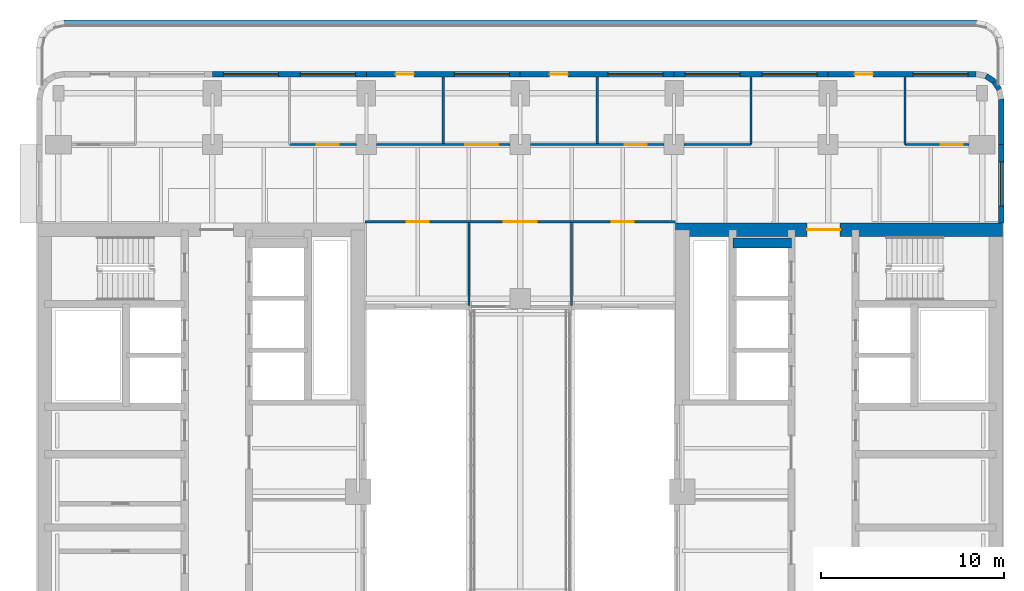
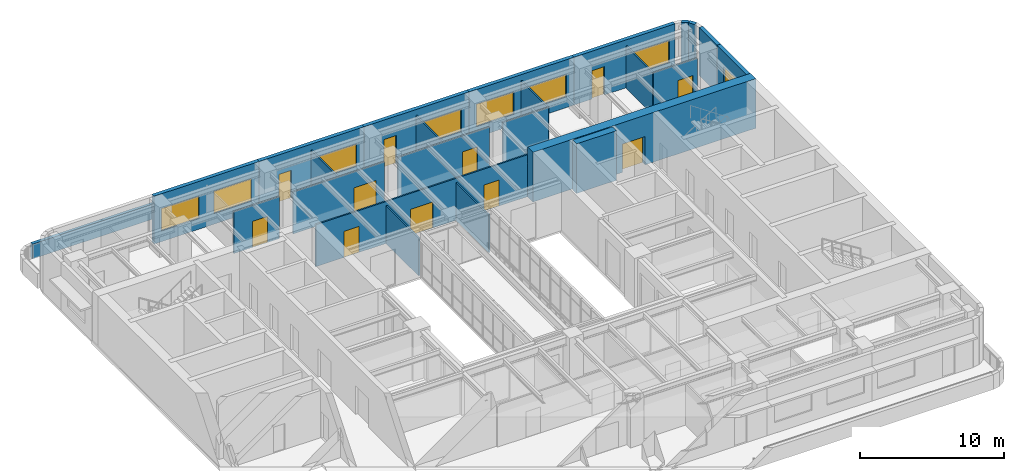
# One storey, part 10 of 15: 24 walls, 11 doors, 8 windows, 19 openings.
"""IFC4 building model written with IfcOpenShell, lengths in metres."""

import ifcopenshell
import ifcopenshell.guid

model = None  # the IFC model being written
_history = None  # IfcOwnerHistory: only IFC2X3 demands one
_inside = {}  # id of a spatial element -> (the spatial element, [elements in it])
_under = {}  # id of a project, library or spatial element -> (it, [spatial elements below it])
_declared = {}  # id of a project -> (the project, [libraries it declares])
_typed = {}  # id of a type object -> (the type object, [elements of that type])
_made_of = {}  # id of a material, layer set ... -> (it, [elements and type objects made of it])


def new_model(schema):
    """Start an empty IFC model of exactly this schema.

    Asked for "IFC4X3", IfcOpenShell would pick the latest addendum, in which some entities
    have other attributes; the version numbers below select the first issue.
    IFC2X3 requires an IfcOwnerHistory on every rooted entity: one is made here for all.
    """
    global model, _history
    if schema == "IFC4X3":
        model = ifcopenshell.file(schema_version=(4, 3, 0, 0))
    else:
        model = ifcopenshell.file(schema=schema)
    _inside.clear()
    _under.clear()
    _declared.clear()
    _typed.clear()
    _made_of.clear()
    _history = None
    if model.schema == "IFC2X3":
        org = make("IfcOrganization", Name="unknown")
        user = make(
            "IfcPersonAndOrganization",
            ThePerson=make("IfcPerson", FamilyName="unknown"),
            TheOrganization=org,
        )
        app = make(
            "IfcApplication",
            ApplicationDeveloper=org,
            Version="unknown",
            ApplicationFullName="unknown",
            ApplicationIdentifier="unknown",
        )
        _history = make(
            "IfcOwnerHistory",
            OwningUser=user,
            OwningApplication=app,
            ChangeAction="ADDED",
            CreationDate=0,
        )
    return model


def make(cls, **values):
    """One entity of the class cls with the attributes given. An attribute that is None is left unset."""
    return model.create_entity(
        cls, **{name: value for name, value in values.items() if value is not None}
    )


def rooted(cls, **values):
    """An entity with a GlobalId (a new one), such as an element, a storey or a relation."""
    return make(cls, GlobalId=ifcopenshell.guid.new(), OwnerHistory=_history, **values)


def si_unit(unit_type, name, prefix=None):
    """IfcSIUnit, for example si_unit("LENGTHUNIT", "METRE", prefix="MILLI")."""
    return make("IfcSIUnit", UnitType=unit_type, Prefix=prefix, Name=name)


def assignment(units):
    """IfcUnitAssignment: the units of a project."""
    return None if units is None else make("IfcUnitAssignment", Units=units)


def point(xyz):
    """IfcCartesianPoint."""
    return None if xyz is None else make("IfcCartesianPoint", Coordinates=xyz)


def direction(xyz):
    """IfcDirection."""
    return None if xyz is None else make("IfcDirection", DirectionRatios=xyz)


def frame(location, z_axis=None, x_axis=None):
    """IfcAxis2Placement3D, a coordinate frame: its origin and axes. An axis left out is left unset."""
    return make(
        "IfcAxis2Placement3D",
        Location=point(location),
        Axis=direction(z_axis),
        RefDirection=direction(x_axis),
    )


def frame_2d(location, x_axis=None):
    """IfcAxis2Placement2D, a coordinate frame in the plane: its origin and x axis."""
    return make(
        "IfcAxis2Placement2D", Location=point(location), RefDirection=direction(x_axis)
    )


def origin():
    """The frame at (0, 0, 0) with its axes left unset."""
    return frame((0.0, 0.0, 0.0))


def place(relative_to, where):
    """IfcLocalPlacement: puts the frame where relative to a parent placement (None: the world)."""
    return make(
        "IfcLocalPlacement", PlacementRelTo=relative_to, RelativePlacement=where
    )


def context(
    kind, dimensions, precision=None, world=None, true_north=None, identifier=None
):
    """IfcGeometricRepresentationContext, for example the 3D "Model" context."""
    return make(
        "IfcGeometricRepresentationContext",
        ContextIdentifier=identifier,
        ContextType=kind,
        CoordinateSpaceDimension=dimensions,
        Precision=precision,
        WorldCoordinateSystem=world,
        TrueNorth=true_north,
    )


def subcontext(parent, identifier, kind, view, scale=None):
    """IfcGeometricRepresentationSubContext, for example "Body" below "Model"."""
    return make(
        "IfcGeometricRepresentationSubContext",
        ContextIdentifier=identifier,
        ContextType=kind,
        ParentContext=parent,
        TargetScale=scale,
        TargetView=view,
    )


def project(units=None, contexts=None):
    """IfcProject with its units and contexts."""
    return rooted(
        "IfcProject",
        Name="project",
        RepresentationContexts=contexts,
        UnitsInContext=assignment(units),
    )


def spatial(cls, under=None, at=None, **own):
    """A site, building, storey or space (cls), placed at a placement, below another one or the project."""
    s = rooted(cls, ObjectPlacement=at, **own)
    if under is not None:
        _under.setdefault(under.id(), (under, []))[1].append(s)
    return s


def profile(cls, at=None, kind="AREA", **sizes):
    """A parametric profile (cls). Its sizes go by their IFC names, for example OverallWidth=200.0."""
    return make(cls, ProfileType=kind, Position=at, **sizes)


def rectangle(**sizes):
    """IfcRectangleProfileDef."""
    return profile("IfcRectangleProfileDef", **sizes)


def extrude(swept, where, along, depth):
    """IfcExtrudedAreaSolid: the profile swept, set in the frame where, extruded along a direction by depth."""
    return make(
        "IfcExtrudedAreaSolid",
        SweptArea=swept,
        Position=where,
        ExtrudedDirection=direction(along),
        Depth=depth,
    )


def shape(context_of_items, identifier, shape_type, items):
    """IfcShapeRepresentation: the items that make up one representation, for example the "Body"."""
    return make(
        "IfcShapeRepresentation",
        ContextOfItems=context_of_items,
        RepresentationIdentifier=identifier,
        RepresentationType=shape_type,
        Items=items,
    )


def material(Name=None, Category=None):
    """IfcMaterial."""
    return make("IfcMaterial", Name=Name, Category=Category)


def layer(
    of_material, thickness, ventilated=None, Name=None, Category=None, Priority=None
):
    """IfcMaterialLayer: one layer of a wall or slab, of a material (None: an air gap)."""
    return make(
        "IfcMaterialLayer",
        Material=of_material,
        LayerThickness=thickness,
        IsVentilated=ventilated,
        Name=Name,
        Category=Category,
        Priority=Priority,
    )


def layer_set(layers, Name=None):
    """IfcMaterialLayerSet."""
    return make("IfcMaterialLayerSet", MaterialLayers=layers, LayerSetName=Name)


def made_of(thing, what):
    """Note that an element or type object is made of a material, layer set ...; save() writes the relation."""
    if what is not None:
        _made_of.setdefault(what.id(), (what, []))[1].append(thing)
    return thing


def type_object(cls, material=None, **own):
    """A type object (cls), such as IfcWallType, which elements share."""
    return made_of(rooted(cls, **own), material)


def element(
    cls,
    number,
    at=None,
    inside=None,
    cuts=None,
    type_object=None,
    material=None,
    context=None,
    identifier="Body",
    shape_type=None,
    held_by="IfcProductDefinitionShape",
    body=None,
    shapes=None,
    **own,
):
    """One element of the class cls, such as IfcWall. Its Tag is "e" and its number.

    at: its placement. inside: the storey or other place that contains it. cuts: it is an
    opening in that element (IfcRelVoidsElement). A single representation is given by context,
    identifier, shape_type and body (its items); several are given by shapes. held_by: the class
    of the entity that holds the representations. save() writes the other relations.
    """
    e = rooted(cls, Tag="e%d" % number, ObjectPlacement=at, **own)
    if body is not None:
        shapes = [shape(context, identifier, shape_type, body)]
    if shapes is not None:
        e.Representation = make(held_by, Representations=shapes)
    if inside is not None:
        _inside.setdefault(inside.id(), (inside, []))[1].append(e)
    if cuts is not None:
        rooted(
            "IfcRelVoidsElement", RelatingBuildingElement=cuts, RelatedOpeningElement=e
        )
    if type_object is not None:
        _typed.setdefault(type_object.id(), (type_object, []))[1].append(e)
    return made_of(e, material)


def fill(opening, filler):
    """IfcRelFillsElement: the door or window that sits in an opening."""
    return rooted(
        "IfcRelFillsElement",
        RelatingOpeningElement=opening,
        RelatedBuildingElement=filler,
    )


def aggregate(whole, parts):
    """IfcRelAggregates: a whole, such as a stair, and the parts it consists of."""
    return rooted("IfcRelAggregates", RelatingObject=whole, RelatedObjects=parts)


def save(model, path):
    """Write the relations noted so far, then the file.

    IfcRelAggregates (storeys below a building ...), IfcRelContainedInSpatialStructure (elements
    in a storey), IfcRelDefinesByType, IfcRelAssociatesMaterial and IfcRelDeclares: one each for
    every whole, place, type object, material and project.
    """
    for whole, parts in _under.values():
        aggregate(whole, parts)
    for where, things in _inside.values():
        rooted(
            "IfcRelContainedInSpatialStructure",
            RelatedElements=things,
            RelatingStructure=where,
        )
    for kind, things in _typed.values():
        rooted("IfcRelDefinesByType", RelatedObjects=things, RelatingType=kind)
    for what, things in _made_of.values():
        rooted("IfcRelAssociatesMaterial", RelatedObjects=things, RelatingMaterial=what)
    for by, libraries in _declared.values():
        rooted("IfcRelDeclares", RelatingContext=by, RelatedDefinitions=libraries)
    model.write(path)


model = new_model("IFC4")

# Units and contexts
model_context = context("Model", 3, precision=1e-05, world=origin(), true_north=direction((0.0, 1.0)))
body_context = subcontext(model_context, "Body", "Model", "MODEL_VIEW")
ifc_project = project(units=[si_unit("LENGTHUNIT", "METRE"), si_unit("AREAUNIT", "SQUARE_METRE"), si_unit("VOLUMEUNIT", "CUBIC_METRE"), si_unit("PLANEANGLEUNIT", "RADIAN"), si_unit("MASSUNIT", "GRAM", prefix="KILO")], contexts=[model_context])

# Site, building, storey
site_placement = place(None, origin())
site = spatial("IfcSite", under=ifc_project, at=site_placement, CompositionType="ELEMENT")
building_placement = place(site_placement, origin())
building = spatial("IfcBuilding", under=site, at=building_placement, Name="Claustro Exchange Tower", CompositionType="ELEMENT")
storey_placement = place(building_placement, frame((0.0, 0.0, 173.39990234375)))
storey = spatial("IfcBuildingStorey", under=building, at=storey_placement, Name="L39", CompositionType="ELEMENT", Elevation=173.39990234375)

# Wall, opening, door
ifc_material_1 = material(Name="Laminated glass in aluminium frame", Category="aluminium")
ifc_layer_1 = layer(ifc_material_1, 0.1201171875)
ifc_layer_set_1 = layer_set([ifc_layer_1], Name="Laminated glass in aluminium frame")
wall_type_1 = type_object("IfcWallType", Name="P2 120 glazed partition", PredefinedType="PARTITIONING", material=ifc_layer_set_1)
wall_1_placement = place(storey_placement, frame((12.60009765625, 42.0, 0.0), z_axis=(0.0, 0.0, 1.0), x_axis=(1.0, 0.0, 0.0)))
wall_1 = element("IfcWall", 1, at=wall_1_placement, inside=storey, type_object=wall_type_1, Name="Partition P2 L39", PredefinedType="PARTITIONING", context=body_context, shape_type="SweptSolid", body=[
    extrude(rectangle(XDim=3.65087890625, YDim=0.1201171875, at=frame_2d((1.825439453125, 0.0))), origin(), (0.0, 0.0, 1.0), 3.550048828125),
])
opening_1_placement = place(wall_1_placement, frame((1.5, 0.0, 0.0)))
opening_1 = element("IfcOpeningElement", 2, at=opening_1_placement, cuts=wall_1, Name="Opening D6", PredefinedType="OPENING", context=body_context, shape_type="SweptSolid", body=[
    extrude(rectangle(XDim=1.199951171875, YDim=2.199951171875, at=frame_2d((0.60009765625, 1.10009765625))), frame((0.0, 0.070068359375, 0.0), z_axis=(0.0, -1.0, 0.0), x_axis=(1.0, 0.0, 0.0)), (0.0, 0.0, 1.0), 0.14013671875),
])
ifc_material_2 = material(Name="Timber door, oak veneer", Category="wood")
door_type_1 = type_object("IfcDoorType", Name="D6 1200 x 2200 unequal pair door", OperationType="DOUBLE_DOOR_SINGLE_SWING_OPPOSITE_LEFT", PredefinedType="DOOR", material=ifc_material_2)
door_1_placement = place(opening_1_placement, origin())
door_1 = element("IfcDoor", 3, at=door_1_placement, inside=storey, type_object=door_type_1, Name="Door D6 L39", OperationType="DOUBLE_DOOR_SINGLE_SWING_OPPOSITE_LEFT", OverallHeight=2.199951171875, OverallWidth=1.199951171875, PredefinedType="DOOR", context=body_context, shape_type="SweptSolid", body=[
    extrude(rectangle(XDim=1.199951171875, YDim=2.199951171875, at=frame_2d((0.60009765625, 1.10009765625))), frame((0.0, 0.02490234375, 0.0), z_axis=(0.0, -1.0, 0.0), x_axis=(1.0, 0.0, 0.0)), (0.0, 0.0, 1.0), 0.050048828125),
])
fill(opening_1, door_1)

wall_2_placement = place(storey_placement, frame((17.34912109375, 42.0, 0.0), z_axis=(0.0, 0.0, 1.0), x_axis=(1.0, 0.0, 0.0)))
wall_2 = element("IfcWall", 4, at=wall_2_placement, inside=storey, type_object=wall_type_1, Name="Partition P2 L39", PredefinedType="PARTITIONING", context=body_context, shape_type="SweptSolid", body=[
    extrude(rectangle(XDim=7.3017578125, YDim=0.1201171875, at=frame_2d((3.65087890625, 0.0))), origin(), (0.0, 0.0, 1.0), 3.550048828125),
])
opening_2_placement = place(wall_2_placement, frame((4.85107421875, 0.0, 0.0)))
opening_2 = element("IfcOpeningElement", 5, at=opening_2_placement, cuts=wall_2, Name="Opening D2", PredefinedType="OPENING", context=body_context, shape_type="SweptSolid", body=[
    extrude(rectangle(XDim=1.800048828125, YDim=2.199951171875, at=frame_2d((0.89990234375, 1.10009765625))), frame((0.0, 0.070068359375, 0.0), z_axis=(0.0, -1.0, 0.0), x_axis=(1.0, 0.0, 0.0)), (0.0, 0.0, 1.0), 0.14013671875),
])
ifc_material_3 = material(Name="Timber door, oak veneer", Category="wood")
door_type_2 = type_object("IfcDoorType", Name="D2 1800 x 2200 double door", OperationType="DOUBLE_DOOR_SINGLE_SWING", PredefinedType="DOOR", material=ifc_material_3)
door_2_placement = place(opening_2_placement, origin())
door_2 = element("IfcDoor", 6, at=door_2_placement, inside=storey, type_object=door_type_2, Name="Double door D2 L39", OperationType="DOUBLE_DOOR_SINGLE_SWING", OverallHeight=2.199951171875, OverallWidth=1.800048828125, PredefinedType="DOOR", context=body_context, shape_type="SweptSolid", body=[
    extrude(rectangle(XDim=1.800048828125, YDim=2.199951171875, at=frame_2d((0.89990234375, 1.10009765625))), frame((0.0, 0.02490234375, 0.0), z_axis=(0.0, -1.0, 0.0), x_axis=(1.0, 0.0, 0.0)), (0.0, 0.0, 1.0), 0.050048828125),
])
fill(opening_2, door_2)

wall_3_placement = place(storey_placement, frame((25.7490234375, 42.0, 0.0), z_axis=(0.0, 0.0, 1.0), x_axis=(1.0, 0.0, 0.0)))
wall_3 = element("IfcWall", 7, at=wall_3_placement, inside=storey, type_object=wall_type_1, Name="Partition P2 L39", PredefinedType="PARTITIONING", context=body_context, shape_type="SweptSolid", body=[
    extrude(rectangle(XDim=7.302001953125, YDim=0.1201171875, at=frame_2d((3.65087890625, 0.0))), origin(), (0.0, 0.0, 1.0), 3.550048828125),
])
opening_3_placement = place(wall_3_placement, frame((5.15087890625, 0.0, 0.0)))
opening_3 = element("IfcOpeningElement", 8, at=opening_3_placement, cuts=wall_3, Name="Opening D6", PredefinedType="OPENING", context=body_context, shape_type="SweptSolid", body=[
    extrude(rectangle(XDim=1.199951171875, YDim=2.199951171875, at=frame_2d((0.60009765625, 1.10009765625))), frame((0.0, 0.070068359375, 0.0), z_axis=(0.0, -1.0, 0.0), x_axis=(1.0, 0.0, 0.0)), (0.0, 0.0, 1.0), 0.14013671875),
])
door_3_placement = place(opening_3_placement, origin())
door_3 = element("IfcDoor", 9, at=door_3_placement, inside=storey, type_object=door_type_1, Name="Door D6 L39", OperationType="DOUBLE_DOOR_SINGLE_SWING_OPPOSITE_LEFT", OverallHeight=2.199951171875, OverallWidth=1.199951171875, PredefinedType="DOOR", context=body_context, shape_type="SweptSolid", body=[
    extrude(rectangle(XDim=1.199951171875, YDim=2.199951171875, at=frame_2d((0.60009765625, 1.10009765625))), frame((0.0, 0.02490234375, 0.0), z_axis=(0.0, -1.0, 0.0), x_axis=(1.0, 0.0, 0.0)), (0.0, 0.0, 1.0), 0.050048828125),
])
fill(opening_3, door_3)

# Walls
wall_4_placement = place(storey_placement, frame((34.14892578125, 42.0, 0.0), z_axis=(0.0, 0.0, 1.0), x_axis=(1.0, 0.0, 0.0)))
element("IfcWall", 10, at=wall_4_placement, inside=storey, type_object=wall_type_1, Name="Partition P2 L39", PredefinedType="PARTITIONING", context=body_context, shape_type="SweptSolid", body=[
    extrude(rectangle(XDim=3.651123046875, YDim=0.1201171875, at=frame_2d((1.82568359375, 0.0))), origin(), (0.0, 0.0, 1.0), 3.550048828125),
])
for number, where, z_axis, x_axis, name in (
    (11, (21.0, 42.05810546875, 0.0), (0.0, 0.0, 1.0), (0.0, 1.0, 0.0), "Partition P2 L39"),
    (12, (29.39990234375, 42.05810546875, 0.0), (0.0, 0.0, 1.0), (0.0, 1.0, 0.0), "Partition P2 L39"),
):
    element("IfcWall", number, at=place(storey_placement, frame(where, z_axis=z_axis, x_axis=x_axis)), inside=storey, type_object=wall_type_1, Name=name, PredefinedType="PARTITIONING", context=body_context, shape_type="SweptSolid", body=[
        extrude(rectangle(XDim=3.643798828125, YDim=0.1201171875, at=frame_2d((1.82177734375, 0.0))), origin(), (0.0, 0.0, 1.0), 3.550048828125),
    ])
wall_5_placement = place(storey_placement, frame((37.800048828125, 42.0, 0.0), z_axis=(0.0, 0.0, 1.0), x_axis=(0.0, 1.0, 0.0)))
element("IfcWall", 13, at=wall_5_placement, inside=storey, type_object=wall_type_1, Name="Partition P2 L39", PredefinedType="PARTITIONING", context=body_context, shape_type="SweptSolid", body=[
    extrude(rectangle(XDim=3.701904296875, YDim=0.1201171875, at=frame_2d((1.85107421875, 0.0))), origin(), (0.0, 0.0, 1.0), 3.550048828125),
])

# Wall, opening, door
wall_6_placement = place(storey_placement, frame((46.199951171875, 42.0, 0.0), z_axis=(0.0, 0.0, 1.0), x_axis=(1.0, 0.0, 0.0)))
wall_6 = element("IfcWall", 14, at=wall_6_placement, inside=storey, type_object=wall_type_1, Name="Partition P2 L39", PredefinedType="PARTITIONING", context=body_context, shape_type="SweptSolid", body=[
    extrude(rectangle(XDim=3.5009765625, YDim=0.1201171875, at=frame_2d((1.75048828125, 0.0))), origin(), (0.0, 0.0, 1.0), 3.550048828125),
])
opening_4_placement = place(wall_6_placement, frame((1.949951171875, 0.0, 0.0)))
opening_4 = element("IfcOpeningElement", 15, at=opening_4_placement, cuts=wall_6, Name="Opening D6", PredefinedType="OPENING", context=body_context, shape_type="SweptSolid", body=[
    extrude(rectangle(XDim=1.199951171875, YDim=2.199951171875, at=frame_2d((0.60009765625, 1.10009765625))), frame((0.0, 0.070068359375, 0.0), z_axis=(0.0, -1.0, 0.0), x_axis=(1.0, 0.0, 0.0)), (0.0, 0.0, 1.0), 0.14013671875),
])
door_4_placement = place(opening_4_placement, origin())
door_4 = element("IfcDoor", 16, at=door_4_placement, inside=storey, type_object=door_type_1, Name="Door D6 L39", OperationType="DOUBLE_DOOR_SINGLE_SWING_OPPOSITE_LEFT", OverallHeight=2.199951171875, OverallWidth=1.199951171875, PredefinedType="DOOR", context=body_context, shape_type="SweptSolid", body=[
    extrude(rectangle(XDim=1.199951171875, YDim=2.199951171875, at=frame_2d((0.60009765625, 1.10009765625))), frame((0.0, 0.02490234375, 0.0), z_axis=(0.0, -1.0, 0.0), x_axis=(1.0, 0.0, 0.0)), (0.0, 0.0, 1.0), 0.050048828125),
])
fill(opening_4, door_4)

# Wall
wall_7_placement = place(storey_placement, frame((46.199951171875, 42.0, 0.0), z_axis=(0.0, 0.0, 1.0), x_axis=(0.0, 1.0, 0.0)))
element("IfcWall", 17, at=wall_7_placement, inside=storey, type_object=wall_type_1, Name="Partition P2 L39", PredefinedType="PARTITIONING", context=body_context, shape_type="SweptSolid", body=[
    extrude(rectangle(XDim=3.701904296875, YDim=0.1201171875, at=frame_2d((1.85107421875, 0.0))), origin(), (0.0, 0.0, 1.0), 3.550048828125),
])

# Wall, openings, doors
wall_8_placement = place(storey_placement, frame((16.72509765625, 37.784912109375, 0.0), z_axis=(0.0, 0.0, 1.0), x_axis=(1.0, 0.0, 0.0)))
wall_8 = element("IfcWall", 18, at=wall_8_placement, inside=storey, type_object=wall_type_1, Name="Partition P2 L39", PredefinedType="PARTITIONING", context=body_context, shape_type="SweptSolid", body=[
    extrude(rectangle(XDim=16.949951171875, YDim=0.1201171875, at=frame_2d((8.47509765625, 0.0))), origin(), (0.0, 0.0, 1.0), 3.550048828125),
])
opening_5_placement = place(wall_8_placement, frame((2.27490234375, 0.0, 0.0)))
opening_5 = element("IfcOpeningElement", 19, at=opening_5_placement, cuts=wall_8, Name="Opening D6", PredefinedType="OPENING", context=body_context, shape_type="SweptSolid", body=[
    extrude(rectangle(XDim=1.199951171875, YDim=2.199951171875, at=frame_2d((0.60009765625, 1.10009765625))), frame((0.0, 0.070068359375, 0.0), z_axis=(0.0, -1.0, 0.0), x_axis=(1.0, 0.0, 0.0)), (0.0, 0.0, 1.0), 0.14013671875),
])
opening_6_placement = place(wall_8_placement, frame((7.574951171875, 0.0, 0.0)))
opening_6 = element("IfcOpeningElement", 20, at=opening_6_placement, cuts=wall_8, Name="Opening D2", PredefinedType="OPENING", context=body_context, shape_type="SweptSolid", body=[
    extrude(rectangle(XDim=1.800048828125, YDim=2.199951171875, at=frame_2d((0.89990234375, 1.10009765625))), frame((0.0, 0.070068359375, 0.0), z_axis=(0.0, -1.0, 0.0), x_axis=(1.0, 0.0, 0.0)), (0.0, 0.0, 1.0), 0.14013671875),
])
opening_7_placement = place(wall_8_placement, frame((13.47509765625, 0.0, 0.0)))
opening_7 = element("IfcOpeningElement", 21, at=opening_7_placement, cuts=wall_8, Name="Opening D6", PredefinedType="OPENING", context=body_context, shape_type="SweptSolid", body=[
    extrude(rectangle(XDim=1.199951171875, YDim=2.199951171875, at=frame_2d((0.60009765625, 1.10009765625))), frame((0.0, 0.070068359375, 0.0), z_axis=(0.0, -1.0, 0.0), x_axis=(1.0, 0.0, 0.0)), (0.0, 0.0, 1.0), 0.14013671875),
])
door_5_placement = place(opening_6_placement, origin())
door_5 = element("IfcDoor", 22, at=door_5_placement, inside=storey, type_object=door_type_2, Name="Double door D2 L39", OperationType="DOUBLE_DOOR_SINGLE_SWING", OverallHeight=2.199951171875, OverallWidth=1.800048828125, PredefinedType="DOOR", context=body_context, shape_type="SweptSolid", body=[
    extrude(rectangle(XDim=1.800048828125, YDim=2.199951171875, at=frame_2d((0.89990234375, 1.10009765625))), frame((0.0, 0.02490234375, 0.0), z_axis=(0.0, -1.0, 0.0), x_axis=(1.0, 0.0, 0.0)), (0.0, 0.0, 1.0), 0.050048828125),
])
fill(opening_6, door_5)
door_6_placement = place(opening_5_placement, origin())
door_6 = element("IfcDoor", 23, at=door_6_placement, inside=storey, type_object=door_type_1, Name="Door D6 L39", OperationType="DOUBLE_DOOR_SINGLE_SWING_OPPOSITE_LEFT", OverallHeight=2.199951171875, OverallWidth=1.199951171875, PredefinedType="DOOR", context=body_context, shape_type="SweptSolid", body=[
    extrude(rectangle(XDim=1.199951171875, YDim=2.199951171875, at=frame_2d((0.60009765625, 1.10009765625))), frame((0.0, 0.02490234375, 0.0), z_axis=(0.0, -1.0, 0.0), x_axis=(1.0, 0.0, 0.0)), (0.0, 0.0, 1.0), 0.050048828125),
])
fill(opening_5, door_6)
door_7_placement = place(opening_7_placement, origin())
door_7 = element("IfcDoor", 24, at=door_7_placement, inside=storey, type_object=door_type_1, Name="Door D6 L39", OperationType="DOUBLE_DOOR_SINGLE_SWING_OPPOSITE_LEFT", OverallHeight=2.199951171875, OverallWidth=1.199951171875, PredefinedType="DOOR", context=body_context, shape_type="SweptSolid", body=[
    extrude(rectangle(XDim=1.199951171875, YDim=2.199951171875, at=frame_2d((0.60009765625, 1.10009765625))), frame((0.0, 0.02490234375, 0.0), z_axis=(0.0, -1.0, 0.0), x_axis=(1.0, 0.0, 0.0)), (0.0, 0.0, 1.0), 0.050048828125),
])
fill(opening_7, door_7)

# Walls
for number, where, z_axis, x_axis, name in (
    (25, (22.39990234375, 33.2080078125, 0.0), (0.0, 0.0, 1.0), (0.0, 1.0, 0.0), "Partition P2 L39"),
    (26, (28.0, 33.2080078125, 0.0), (0.0, 0.0, 1.0), (0.0, 1.0, 0.0), "Partition P2 L39"),
):
    element("IfcWall", number, at=place(storey_placement, frame(where, z_axis=z_axis, x_axis=x_axis)), inside=storey, type_object=wall_type_1, Name=name, PredefinedType="PARTITIONING", context=body_context, shape_type="SweptSolid", body=[
        extrude(rectangle(XDim=4.533935546875, YDim=0.1201171875, at=frame_2d((2.26708984375, 0.0))), origin(), (0.0, 0.0, 1.0), 3.2001953125),
    ])

# Wall, openings, windows
ifc_material_4 = material(Name="Concrete HA-40 (C40/50), precast, white cement, acid-etched", Category="concrete")
ifc_layer_2 = layer(ifc_material_4, 0.300048828125)
ifc_layer_set_2 = layer_set([ifc_layer_2], Name="Concrete HA-40 (C40/50), precast, white cement, acid-etched")
wall_type_2 = type_object("IfcWallType", Name="PC1 300 precast concrete pier panel", PredefinedType="SOLIDWALL", material=ifc_layer_set_2)
wall_9_placement = place(storey_placement, frame((8.39990234375, 45.85009765625, 0.0), z_axis=(0.0, 0.0, 1.0), x_axis=(1.0, 0.0, 0.0)))
wall_9 = element("IfcWall", 27, at=wall_9_placement, inside=storey, type_object=wall_type_2, Name="Precast pier panel PC1 L39", PredefinedType="SOLIDWALL", context=body_context, shape_type="SweptSolid", body=[
    extrude(rectangle(XDim=8.400146484375, YDim=0.300048828125, at=frame_2d((4.2001953125, 0.0))), origin(), (0.0, 0.0, 1.0), 4.050048828125),
])
opening_8_placement = place(wall_9_placement, frame((0.60009765625, 0.0, 0.89990234375)))
opening_8 = element("IfcOpeningElement", 28, at=opening_8_placement, cuts=wall_9, Name="Opening W1", PredefinedType="OPENING", context=body_context, shape_type="SweptSolid", body=[
    extrude(rectangle(XDim=3.0, YDim=1.89990234375, at=frame_2d((1.5, 0.949951171875))), frame((0.0, 0.159912109375, 0.0), z_axis=(0.0, -1.0, 0.0), x_axis=(1.0, 0.0, 0.0)), (0.0, 0.0, 1.0), 0.320068359375),
])
opening_9_placement = place(wall_9_placement, frame((4.800048828125, 0.0, 0.89990234375)))
opening_9 = element("IfcOpeningElement", 29, at=opening_9_placement, cuts=wall_9, Name="Opening W1", PredefinedType="OPENING", context=body_context, shape_type="SweptSolid", body=[
    extrude(rectangle(XDim=3.0, YDim=1.89990234375, at=frame_2d((1.5, 0.949951171875))), frame((0.0, 0.159912109375, 0.0), z_axis=(0.0, -1.0, 0.0), x_axis=(1.0, 0.0, 0.0)), (0.0, 0.0, 1.0), 0.320068359375),
])
ifc_material_5 = material(Name="Aluminium frame, clear double glazing", Category="aluminium")
window_type_1 = type_object("IfcWindowType", Name="W1 3000 x 1900 window", PartitioningType="SINGLE_PANEL", PredefinedType="WINDOW", material=ifc_material_5)
window_1_placement = place(opening_8_placement, origin())
window_1 = element("IfcWindow", 30, at=window_1_placement, inside=storey, type_object=window_type_1, Name="Window W1 L39", OverallHeight=1.89990234375, OverallWidth=3.0, PartitioningType="SINGLE_PANEL", PredefinedType="WINDOW", context=body_context, shape_type="SweptSolid", body=[
    extrude(rectangle(XDim=3.0, YDim=1.89990234375, at=frame_2d((1.5, 0.949951171875))), frame((0.0, 0.030029296875, 0.0), z_axis=(0.0, -1.0, 0.0), x_axis=(1.0, 0.0, 0.0)), (0.0, 0.0, 1.0), 0.06005859375),
])
fill(opening_8, window_1)
window_2_placement = place(opening_9_placement, origin())
window_2 = element("IfcWindow", 31, at=window_2_placement, inside=storey, type_object=window_type_1, Name="Window W1 L39", OverallHeight=1.89990234375, OverallWidth=3.0, PartitioningType="SINGLE_PANEL", PredefinedType="WINDOW", context=body_context, shape_type="SweptSolid", body=[
    extrude(rectangle(XDim=3.0, YDim=1.89990234375, at=frame_2d((1.5, 0.949951171875))), frame((0.0, 0.030029296875, 0.0), z_axis=(0.0, -1.0, 0.0), x_axis=(1.0, 0.0, 0.0)), (0.0, 0.0, 1.0), 0.06005859375),
])
fill(opening_9, window_2)

# Wall, openings, door, window
wall_10_placement = place(storey_placement, frame((16.800048828125, 45.85009765625, 0.0), z_axis=(0.0, 0.0, 1.0), x_axis=(1.0, 0.0, 0.0)))
wall_10 = element("IfcWall", 32, at=wall_10_placement, inside=storey, type_object=wall_type_2, Name="Precast pier panel PC1 L39", PredefinedType="SOLIDWALL", context=body_context, shape_type="SweptSolid", body=[
    extrude(rectangle(XDim=8.39990234375, YDim=0.300048828125, at=frame_2d((4.199951171875, 0.0))), origin(), (0.0, 0.0, 1.0), 4.050048828125),
])
opening_10_placement = place(wall_10_placement, frame((4.800048828125, 0.0, 0.89990234375)))
opening_10 = element("IfcOpeningElement", 33, at=opening_10_placement, cuts=wall_10, Name="Opening W1", PredefinedType="OPENING", context=body_context, shape_type="SweptSolid", body=[
    extrude(rectangle(XDim=3.0, YDim=1.89990234375, at=frame_2d((1.5, 0.949951171875))), frame((0.0, 0.159912109375, 0.0), z_axis=(0.0, -1.0, 0.0), x_axis=(1.0, 0.0, 0.0)), (0.0, 0.0, 1.0), 0.320068359375),
])
opening_11_placement = place(wall_10_placement, frame((1.60009765625, 0.0, 0.0)))
opening_11 = element("IfcOpeningElement", 34, at=opening_11_placement, cuts=wall_10, Name="Opening D-T", PredefinedType="OPENING", context=body_context, shape_type="SweptSolid", body=[
    extrude(rectangle(XDim=1.0, YDim=2.39990234375, at=frame_2d((0.5, 1.199951171875))), frame((0.0, 0.159912109375, 0.0), z_axis=(0.0, -1.0, 0.0), x_axis=(1.0, 0.0, 0.0)), (0.0, 0.0, 1.0), 0.320068359375),
])
ifc_material_6 = material(Name="Aluminium frame, clear double glazing", Category="aluminium")
door_type_3 = type_object("IfcDoorType", Name="D-T 1000 x 2400 terrace door", OperationType="SINGLE_SWING_LEFT", PredefinedType="DOOR", material=ifc_material_6)
door_8_placement = place(opening_11_placement, origin())
door_8 = element("IfcDoor", 35, at=door_8_placement, inside=storey, type_object=door_type_3, Name="Terrace door D-T L39", OperationType="SINGLE_SWING_LEFT", OverallHeight=2.39990234375, OverallWidth=1.0, PredefinedType="DOOR", context=body_context, shape_type="SweptSolid", body=[
    extrude(rectangle(XDim=1.0, YDim=2.39990234375, at=frame_2d((0.5, 1.199951171875))), frame((0.0, 0.02490234375, 0.0), z_axis=(0.0, -1.0, 0.0), x_axis=(1.0, 0.0, 0.0)), (0.0, 0.0, 1.0), 0.050048828125),
])
fill(opening_11, door_8)
window_3_placement = place(opening_10_placement, origin())
window_3 = element("IfcWindow", 36, at=window_3_placement, inside=storey, type_object=window_type_1, Name="Window W1 L39", OverallHeight=1.89990234375, OverallWidth=3.0, PartitioningType="SINGLE_PANEL", PredefinedType="WINDOW", context=body_context, shape_type="SweptSolid", body=[
    extrude(rectangle(XDim=3.0, YDim=1.89990234375, at=frame_2d((1.5, 0.949951171875))), frame((0.0, 0.030029296875, 0.0), z_axis=(0.0, -1.0, 0.0), x_axis=(1.0, 0.0, 0.0)), (0.0, 0.0, 1.0), 0.06005859375),
])
fill(opening_10, window_3)

wall_11_placement = place(storey_placement, frame((25.199951171875, 45.85009765625, 0.0), z_axis=(0.0, 0.0, 1.0), x_axis=(1.0, 0.0, 0.0)))
wall_11 = element("IfcWall", 37, at=wall_11_placement, inside=storey, type_object=wall_type_2, Name="Precast pier panel PC1 L39", PredefinedType="SOLIDWALL", context=body_context, shape_type="SweptSolid", body=[
    extrude(rectangle(XDim=8.400146484375, YDim=0.300048828125, at=frame_2d((4.2001953125, 0.0))), origin(), (0.0, 0.0, 1.0), 4.050048828125),
])
opening_12_placement = place(wall_11_placement, frame((4.800048828125, 0.0, 0.89990234375)))
opening_12 = element("IfcOpeningElement", 38, at=opening_12_placement, cuts=wall_11, Name="Opening W1", PredefinedType="OPENING", context=body_context, shape_type="SweptSolid", body=[
    extrude(rectangle(XDim=3.0, YDim=1.89990234375, at=frame_2d((1.5, 0.949951171875))), frame((0.0, 0.159912109375, 0.0), z_axis=(0.0, -1.0, 0.0), x_axis=(1.0, 0.0, 0.0)), (0.0, 0.0, 1.0), 0.320068359375),
])
opening_13_placement = place(wall_11_placement, frame((1.60009765625, 0.0, 0.0)))
opening_13 = element("IfcOpeningElement", 39, at=opening_13_placement, cuts=wall_11, Name="Opening D-T", PredefinedType="OPENING", context=body_context, shape_type="SweptSolid", body=[
    extrude(rectangle(XDim=1.0, YDim=2.39990234375, at=frame_2d((0.5, 1.199951171875))), frame((0.0, 0.159912109375, 0.0), z_axis=(0.0, -1.0, 0.0), x_axis=(1.0, 0.0, 0.0)), (0.0, 0.0, 1.0), 0.320068359375),
])
door_9_placement = place(opening_13_placement, origin())
door_9 = element("IfcDoor", 40, at=door_9_placement, inside=storey, type_object=door_type_3, Name="Terrace door D-T L39", OperationType="SINGLE_SWING_RIGHT", OverallHeight=2.39990234375, OverallWidth=1.0, PredefinedType="DOOR", context=body_context, shape_type="SweptSolid", body=[
    extrude(rectangle(XDim=1.0, YDim=2.39990234375, at=frame_2d((0.5, 1.199951171875))), frame((0.0, 0.02490234375, 0.0), z_axis=(0.0, -1.0, 0.0), x_axis=(1.0, 0.0, 0.0)), (0.0, 0.0, 1.0), 0.050048828125),
])
fill(opening_13, door_9)
window_4_placement = place(opening_12_placement, origin())
window_4 = element("IfcWindow", 41, at=window_4_placement, inside=storey, type_object=window_type_1, Name="Window W1 L39", OverallHeight=1.89990234375, OverallWidth=3.0, PartitioningType="SINGLE_PANEL", PredefinedType="WINDOW", context=body_context, shape_type="SweptSolid", body=[
    extrude(rectangle(XDim=3.0, YDim=1.89990234375, at=frame_2d((1.5, 0.949951171875))), frame((0.0, 0.030029296875, 0.0), z_axis=(0.0, -1.0, 0.0), x_axis=(1.0, 0.0, 0.0)), (0.0, 0.0, 1.0), 0.06005859375),
])
fill(opening_12, window_4)

# Wall, openings, windows
wall_12_placement = place(storey_placement, frame((33.60009765625, 45.85009765625, 0.0), z_axis=(0.0, 0.0, 1.0), x_axis=(1.0, 0.0, 0.0)))
wall_12 = element("IfcWall", 42, at=wall_12_placement, inside=storey, type_object=wall_type_2, Name="Precast pier panel PC1 L39", PredefinedType="SOLIDWALL", context=body_context, shape_type="SweptSolid", body=[
    extrude(rectangle(XDim=8.39990234375, YDim=0.300048828125, at=frame_2d((4.199951171875, 0.0))), origin(), (0.0, 0.0, 1.0), 4.050048828125),
])
opening_14_placement = place(wall_12_placement, frame((0.60009765625, 0.0, 0.89990234375)))
opening_14 = element("IfcOpeningElement", 43, at=opening_14_placement, cuts=wall_12, Name="Opening W1", PredefinedType="OPENING", context=body_context, shape_type="SweptSolid", body=[
    extrude(rectangle(XDim=3.0, YDim=1.89990234375, at=frame_2d((1.5, 0.949951171875))), frame((0.0, 0.159912109375, 0.0), z_axis=(0.0, -1.0, 0.0), x_axis=(1.0, 0.0, 0.0)), (0.0, 0.0, 1.0), 0.320068359375),
])
opening_15_placement = place(wall_12_placement, frame((4.800048828125, 0.0, 0.89990234375)))
opening_15 = element("IfcOpeningElement", 44, at=opening_15_placement, cuts=wall_12, Name="Opening W1", PredefinedType="OPENING", context=body_context, shape_type="SweptSolid", body=[
    extrude(rectangle(XDim=3.0, YDim=1.89990234375, at=frame_2d((1.5, 0.949951171875))), frame((0.0, 0.159912109375, 0.0), z_axis=(0.0, -1.0, 0.0), x_axis=(1.0, 0.0, 0.0)), (0.0, 0.0, 1.0), 0.320068359375),
])
window_5_placement = place(opening_14_placement, origin())
window_5 = element("IfcWindow", 45, at=window_5_placement, inside=storey, type_object=window_type_1, Name="Window W1 L39", OverallHeight=1.89990234375, OverallWidth=3.0, PartitioningType="SINGLE_PANEL", PredefinedType="WINDOW", context=body_context, shape_type="SweptSolid", body=[
    extrude(rectangle(XDim=3.0, YDim=1.89990234375, at=frame_2d((1.5, 0.949951171875))), frame((0.0, 0.030029296875, 0.0), z_axis=(0.0, -1.0, 0.0), x_axis=(1.0, 0.0, 0.0)), (0.0, 0.0, 1.0), 0.06005859375),
])
fill(opening_14, window_5)
window_6_placement = place(opening_15_placement, origin())
window_6 = element("IfcWindow", 46, at=window_6_placement, inside=storey, type_object=window_type_1, Name="Window W1 L39", OverallHeight=1.89990234375, OverallWidth=3.0, PartitioningType="SINGLE_PANEL", PredefinedType="WINDOW", context=body_context, shape_type="SweptSolid", body=[
    extrude(rectangle(XDim=3.0, YDim=1.89990234375, at=frame_2d((1.5, 0.949951171875))), frame((0.0, 0.030029296875, 0.0), z_axis=(0.0, -1.0, 0.0), x_axis=(1.0, 0.0, 0.0)), (0.0, 0.0, 1.0), 0.06005859375),
])
fill(opening_15, window_6)

# Wall, openings, door, window
wall_13_placement = place(storey_placement, frame((42.0, 45.85009765625, 0.0), z_axis=(0.0, 0.0, 1.0), x_axis=(1.0, 0.0, 0.0)))
wall_13 = element("IfcWall", 47, at=wall_13_placement, inside=storey, type_object=wall_type_2, Name="Precast pier panel PC1 L39", PredefinedType="SOLIDWALL", context=body_context, shape_type="SweptSolid", body=[
    extrude(rectangle(XDim=8.085205078125, YDim=0.300048828125, at=frame_2d((4.04248046875, 0.0))), origin(), (0.0, 0.0, 1.0), 4.050048828125),
])
opening_16_placement = place(wall_13_placement, frame((4.642578125, 0.0, 0.89990234375)))
opening_16 = element("IfcOpeningElement", 48, at=opening_16_placement, cuts=wall_13, Name="Opening W1", PredefinedType="OPENING", context=body_context, shape_type="SweptSolid", body=[
    extrude(rectangle(XDim=3.0, YDim=1.89990234375, at=frame_2d((1.5, 0.949951171875))), frame((0.0, 0.159912109375, 0.0), z_axis=(0.0, -1.0, 0.0), x_axis=(1.0, 0.0, 0.0)), (0.0, 0.0, 1.0), 0.320068359375),
])
opening_17_placement = place(wall_13_placement, frame((1.442626953125, 0.0, 0.0)))
opening_17 = element("IfcOpeningElement", 49, at=opening_17_placement, cuts=wall_13, Name="Opening D-T", PredefinedType="OPENING", context=body_context, shape_type="SweptSolid", body=[
    extrude(rectangle(XDim=1.0, YDim=2.39990234375, at=frame_2d((0.5, 1.199951171875))), frame((0.0, 0.159912109375, 0.0), z_axis=(0.0, -1.0, 0.0), x_axis=(1.0, 0.0, 0.0)), (0.0, 0.0, 1.0), 0.320068359375),
])
door_10_placement = place(opening_17_placement, origin())
door_10 = element("IfcDoor", 50, at=door_10_placement, inside=storey, type_object=door_type_3, Name="Terrace door D-T L39", OperationType="SINGLE_SWING_RIGHT", OverallHeight=2.39990234375, OverallWidth=1.0, PredefinedType="DOOR", context=body_context, shape_type="SweptSolid", body=[
    extrude(rectangle(XDim=1.0, YDim=2.39990234375, at=frame_2d((0.5, 1.199951171875))), frame((0.0, 0.02490234375, 0.0), z_axis=(0.0, -1.0, 0.0), x_axis=(1.0, 0.0, 0.0)), (0.0, 0.0, 1.0), 0.050048828125),
])
fill(opening_17, door_10)
window_7_placement = place(opening_16_placement, origin())
window_7 = element("IfcWindow", 51, at=window_7_placement, inside=storey, type_object=window_type_1, Name="Window W1 L39", OverallHeight=1.89990234375, OverallWidth=3.0, PartitioningType="SINGLE_PANEL", PredefinedType="WINDOW", context=body_context, shape_type="SweptSolid", body=[
    extrude(rectangle(XDim=3.0, YDim=1.89990234375, at=frame_2d((1.5, 0.949951171875))), frame((0.0, 0.030029296875, 0.0), z_axis=(0.0, -1.0, 0.0), x_axis=(1.0, 0.0, 0.0)), (0.0, 0.0, 1.0), 0.06005859375),
])
fill(opening_16, window_7)

# Walls
wall_14_placement = place(storey_placement, frame((50.615478515625, 45.744384765625, 0.0), z_axis=(0.0, 0.0, 1.0), x_axis=(0.831692711774, -0.555236195849, 0.0)))
element("IfcWall", 52, at=wall_14_placement, inside=storey, type_object=wall_type_2, Name="Precast pier panel PC1 L39", PredefinedType="SOLIDWALL", context=body_context, shape_type="SweptSolid", body=[
    extrude(rectangle(XDim=0.525390625, YDim=0.300048828125, at=frame_2d((0.2626953125, 0.0))), origin(), (0.0, 0.0, 1.0), 4.050048828125),
])
wall_15_placement = place(storey_placement, frame((51.052490234375, 45.45263671875, 0.0), z_axis=(0.0, 0.0, 1.0), x_axis=(0.55534295404, -0.831621430339, 0.0)))
element("IfcWall", 53, at=wall_15_placement, inside=storey, type_object=wall_type_2, Name="Precast pier panel PC1 L39", PredefinedType="SOLIDWALL", context=body_context, shape_type="SweptSolid", body=[
    extrude(rectangle(XDim=0.52587890625, YDim=0.300048828125, at=frame_2d((0.262939453125, 0.0))), origin(), (0.0, 0.0, 1.0), 4.050048828125),
])
wall_16_placement = place(storey_placement, frame((51.449951171875, 44.485107421875, 0.0), z_axis=(0.0, 0.0, 1.0), x_axis=(0.0, -1.0, 0.0)))
element("IfcWall", 54, at=wall_16_placement, inside=storey, type_object=wall_type_2, Name="Precast pier panel PC1 L39", PredefinedType="SOLIDWALL", context=body_context, shape_type="SweptSolid", body=[
    extrude(rectangle(XDim=2.485107421875, YDim=0.300048828125, at=frame_2d((1.24267578125, 0.0))), origin(), (0.0, 0.0, 1.0), 4.050048828125),
])

# Wall, opening, window
wall_17_placement = place(storey_placement, frame((51.449951171875, 42.0, 0.0), z_axis=(0.0, 0.0, 1.0), x_axis=(0.0, -1.0, 0.0)))
wall_17 = element("IfcWall", 55, at=wall_17_placement, inside=storey, type_object=wall_type_2, Name="Precast pier panel PC1 L39", PredefinedType="SOLIDWALL", context=body_context, shape_type="SweptSolid", body=[
    extrude(rectangle(XDim=4.27490234375, YDim=0.300048828125, at=frame_2d((2.137451171875, 0.0))), origin(), (0.0, 0.0, 1.0), 4.050048828125),
])
opening_18_placement = place(wall_17_placement, frame((0.9375, 0.0, 0.89990234375)))
opening_18 = element("IfcOpeningElement", 56, at=opening_18_placement, cuts=wall_17, Name="Opening W2", PredefinedType="OPENING", context=body_context, shape_type="SweptSolid", body=[
    extrude(rectangle(XDim=2.39990234375, YDim=1.89990234375, at=frame_2d((1.199951171875, 0.949951171875))), frame((0.0, 0.159912109375, 0.0), z_axis=(0.0, -1.0, 0.0), x_axis=(1.0, 0.0, 0.0)), (0.0, 0.0, 1.0), 0.320068359375),
])
ifc_material_7 = material(Name="Aluminium frame, clear double glazing", Category="aluminium")
window_type_2 = type_object("IfcWindowType", Name="W2 2400 x 1900 window", PartitioningType="SINGLE_PANEL", PredefinedType="WINDOW", material=ifc_material_7)
window_8_placement = place(opening_18_placement, origin())
window_8 = element("IfcWindow", 57, at=window_8_placement, inside=storey, type_object=window_type_2, Name="Window W2 L39", OverallHeight=1.89990234375, OverallWidth=2.39990234375, PartitioningType="SINGLE_PANEL", PredefinedType="WINDOW", context=body_context, shape_type="SweptSolid", body=[
    extrude(rectangle(XDim=2.39990234375, YDim=1.89990234375, at=frame_2d((1.199951171875, 0.949951171875))), frame((0.0, 0.030029296875, 0.0), z_axis=(0.0, -1.0, 0.0), x_axis=(1.0, 0.0, 0.0)), (0.0, 0.0, 1.0), 0.06005859375),
])
fill(opening_18, window_8)

# Wall
ifc_material_8 = material(Name="Concrete HA-40 (C40/50), precast, white cement, acid-etched", Category="concrete")
ifc_layer_3 = layer(ifc_material_8, 0.25)
ifc_layer_set_3 = layer_set([ifc_layer_3], Name="Concrete HA-40 (C40/50), precast, white cement, acid-etched")
wall_type_3 = type_object("IfcWallType", Name="PP1 250 precast concrete parapet", PredefinedType="PARAPET", material=ifc_layer_set_3)
wall_18_placement = place(storey_placement, frame((0.300048828125, 48.675048828125, -0.159912109375), z_axis=(0.0, 0.0, 1.0), x_axis=(1.0, 0.0, 0.0)))
element("IfcWall", 58, at=wall_18_placement, inside=storey, type_object=wall_type_3, Name="Parapet PP1 roof at +173.240", PredefinedType="PARAPET", context=body_context, shape_type="SweptSolid", body=[
    extrude(rectangle(XDim=49.800048828125, YDim=0.25, at=frame_2d((24.89990234375, 0.0))), origin(), (0.0, 0.0, 1.0), 1.260009765625),
])

# Wall, opening, door
ifc_material_9 = material(Name="Concrete HA-70 (C70/85)", Category="concrete")
ifc_layer_4 = layer(ifc_material_9, 0.75)
ifc_layer_set_4 = layer_set([ifc_layer_4], Name="Concrete HA-70 (C70/85)")
wall_type_4 = type_object("IfcWallType", Name="SW2 750 core shear wall", PredefinedType="SHEAR", material=ifc_layer_set_4)
wall_19_placement = place(storey_placement, frame((33.675048828125, 37.35009765625, 0.0), z_axis=(0.0, 0.0, 1.0), x_axis=(1.0, 0.0, 0.0)))
wall_19 = element("IfcWall", 59, at=wall_19_placement, inside=storey, type_object=wall_type_4, Name="Core wall SW2 E core N face L39", PredefinedType="SHEAR", context=body_context, shape_type="SweptSolid", body=[
    extrude(rectangle(XDim=17.849853515625, YDim=0.75, at=frame_2d((8.9248046875, 0.0))), origin(), (0.0, 0.0, 1.0), 4.2001953125),
])
opening_19_placement = place(wall_19_placement, frame((7.175048828125, 0.0, 0.0)))
opening_19 = element("IfcOpeningElement", 60, at=opening_19_placement, cuts=wall_19, Name="Opening D3", PredefinedType="OPENING", context=body_context, shape_type="SweptSolid", body=[
    extrude(rectangle(XDim=1.800048828125, YDim=2.39990234375, at=frame_2d((0.89990234375, 1.199951171875))), frame((0.0, 0.385009765625, 0.0), z_axis=(0.0, -1.0, 0.0), x_axis=(1.0, 0.0, 0.0)), (0.0, 0.0, 1.0), 0.77001953125),
])
ifc_material_10 = material(Name="Steel fire door, painted", Category="steel")
door_type_4 = type_object("IfcDoorType", Name="D3 1800 x 2400 fire-rated lobby double door", OperationType="DOUBLE_DOOR_SINGLE_SWING", PredefinedType="DOOR", material=ifc_material_10)
door_11_placement = place(opening_19_placement, frame((1.800048828125, 0.0, 0.0), z_axis=(0.0, 0.0, 1.0), x_axis=(-1.0, 0.0, 0.0)))
door_11 = element("IfcDoor", 61, at=door_11_placement, inside=storey, type_object=door_type_4, Name="Lift lobby door D3 L39", OperationType="DOUBLE_DOOR_SINGLE_SWING", OverallHeight=2.39990234375, OverallWidth=1.800048828125, PredefinedType="DOOR", context=body_context, shape_type="SweptSolid", body=[
    extrude(rectangle(XDim=1.800048828125, YDim=2.39990234375, at=frame_2d((0.89990234375, 1.199951171875))), frame((0.0, 0.02490234375, 0.0), z_axis=(0.0, -1.0, 0.0), x_axis=(1.0, 0.0, 0.0)), (0.0, 0.0, 1.0), 0.050048828125),
])
fill(opening_19, door_11)

# Wall
ifc_material_11 = material(Name="Concrete HA-50 (C50/60)", Category="concrete")
ifc_layer_5 = layer(ifc_material_11, 0.550048828125)
ifc_layer_set_5 = layer_set([ifc_layer_5], Name="Concrete HA-50 (C50/60)")
wall_type_5 = type_object("IfcWallType", Name="SW6 550 lift shaft end wall", PredefinedType="SHEAR", material=ifc_layer_set_5)
wall_20_placement = place(storey_placement, frame((40.0, 36.625, 0.0), z_axis=(0.0, 0.0, 1.0), x_axis=(-1.0, 0.0, 0.0)))
element("IfcWall", 62, at=wall_20_placement, inside=storey, type_object=wall_type_5, Name="Lift shaft wall E core L39", PredefinedType="SHEAR", context=body_context, shape_type="SweptSolid", body=[
    extrude(rectangle(XDim=3.199951171875, YDim=0.550048828125, at=frame_2d((1.60009765625, 0.0))), origin(), (0.0, 0.0, 1.0), 4.2001953125),
])

save(model, "model.ifc")
